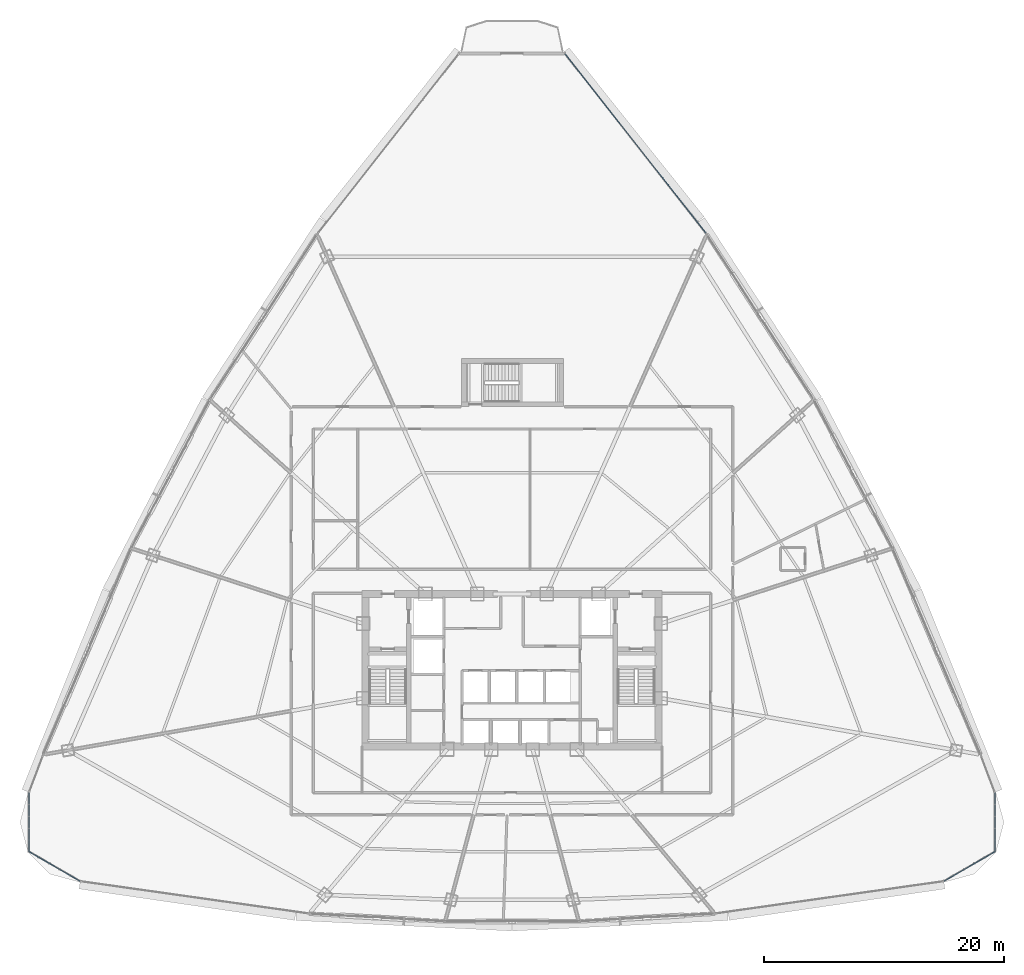
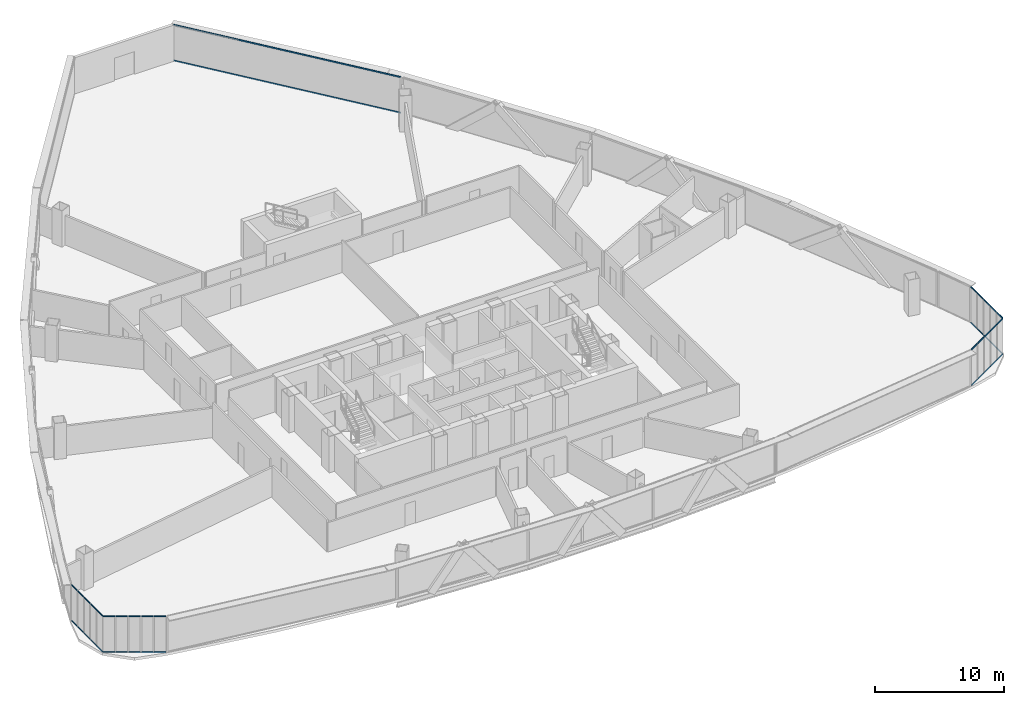
# One storey, part 30 of 42: 42 members, 5 elements without a shape of their own.
"""IFC4 building model written with IfcOpenShell, lengths in metres."""

from ifc_helpers import new_model, si_unit, direction, frame, origin, origin_2d, place, context, subcontext, project, spatial, hollow_rectangle, extrude, source, transform, mapped, material, layer, layer_set, material_profile, profile_set, type_object, element, aggregate, save


model = new_model("IFC4")

# Units and contexts
model_context = context("Model", 3, precision=1e-05, world=origin(), true_north=direction((0.0, 1.0)))
body_context = subcontext(model_context, "Body", "Model", "MODEL_VIEW")
ifc_project = project(units=[si_unit("LENGTHUNIT", "METRE"), si_unit("AREAUNIT", "SQUARE_METRE"), si_unit("VOLUMEUNIT", "CUBIC_METRE"), si_unit("PLANEANGLEUNIT", "RADIAN"), si_unit("MASSUNIT", "GRAM", prefix="KILO"), si_unit("THERMODYNAMICTEMPERATUREUNIT", "KELVIN"), si_unit("POWERUNIT", "WATT")], contexts=[model_context])

# Site, building, storey
site_placement = place(None, origin())
site = spatial("IfcSite", under=ifc_project, at=site_placement, CompositionType="ELEMENT")
building_placement = place(site_placement, origin())
building = spatial("IfcBuilding", under=site, at=building_placement, Name="Yunzhuo Pagoda Commons", CompositionType="ELEMENT")
storey_placement = place(building_placement, frame((0.0, 0.0, 133.510009765625)))
storey = spatial("IfcBuildingStorey", under=building, at=storey_placement, Name="L33", CompositionType="ELEMENT", Elevation=133.510009765625)

# Curtain wall, members
ifc_material = material(Name="Anodized aluminium 6063-T6", Category="aluminium")
ifc_layer_1 = layer(ifc_material, 0.14990234375)
ifc_layer_set_1 = layer_set([ifc_layer_1], Name="Anodized aluminium 6063-T6")
curtain_wall_type_1 = type_object("IfcCurtainWallType", Name="CW-MID Mid-Zone Ribbon Curtain Wall", PredefinedType="NOTDEFINED", material=ifc_layer_set_1)
curtain_wall_1_placement = place(storey_placement, origin())
curtain_wall_1 = element("IfcCurtainWall", 1, at=curtain_wall_1_placement, inside=storey, type_object=curtain_wall_type_1, Name="L33 curtain wall CW-L33-F2B5", PredefinedType="NOTDEFINED")
ifc_material_profile_1 = material_profile(ifc_material, hollow_rectangle(XDim=0.054931640625, YDim=0.1298828125, WallThickness=0.00341796875, at=origin_2d()), Name="Anodized aluminium 6063-T6")
ifc_profile_set_1 = profile_set([ifc_material_profile_1], Name="Anodized aluminium 6063-T6")
member_type_1 = type_object("IfcMemberType", Name="CW-MID-T Transom RHS 130x55x3.5", PredefinedType="USERDEFINED", material=ifc_profile_set_1)
shared_shape_1 = source(origin(), body_context, "Body", "SweptSolid", [
    extrude(hollow_rectangle(XDim=0.054931640625, YDim=0.1298828125, WallThickness=0.00341796875, at=origin_2d()), origin(), (0.0, 0.0, 1.0), 18.9765625),
])
member_1_placement = place(storey_placement, frame((64.1513671875, 70.269775390625, 0.027587890625), z_axis=(-0.617497065847, 0.786573183925, 0.0), x_axis=(-0.786573183925, -0.617497065847, 0.0)))
member_1 = element("IfcMember", 2, at=member_1_placement, type_object=member_type_1, Name="CW transom 1.1", ObjectType="TRANSOM", PredefinedType="USERDEFINED", context=body_context, shape_type="MappedRepresentation", body=[
    mapped(shared_shape_1, transform((0.0, 0.0, 0.0), scale=1.0)),
])
member_2_placement = place(storey_placement, frame((64.1513671875, 70.269775390625, 3.392578125), z_axis=(-0.617497065847, 0.786573183925, 0.0), x_axis=(-0.786573183925, -0.617497065847, 0.0)))
member_2 = element("IfcMember", 3, at=member_2_placement, type_object=member_type_1, Name="CW transom 1.2", ObjectType="TRANSOM", PredefinedType="USERDEFINED", context=body_context, shape_type="MappedRepresentation", body=[
    mapped(shared_shape_1, transform((0.0, 0.0, 0.0), scale=1.0)),
])
aggregate(curtain_wall_1, [member_1, member_2])

ifc_layer_2 = layer(ifc_material, 0.1298828125)
ifc_layer_set_2 = layer_set([ifc_layer_2], Name="Anodized aluminium 6063-T6")
curtain_wall_type_2 = type_object("IfcCurtainWallType", Name="CW-VTX Rounded Corner Curtain Wall", PredefinedType="NOTDEFINED", material=ifc_layer_set_2)
curtain_wall_2_placement = place(storey_placement, origin())
curtain_wall_2 = element("IfcCurtainWall", 4, at=curtain_wall_2_placement, inside=storey, type_object=curtain_wall_type_2, Name="L33 curtain wall CW-L33-VTX1S1", PredefinedType="NOTDEFINED")
ifc_material_profile_2 = material_profile(ifc_material, hollow_rectangle(XDim=0.054931640625, YDim=0.1201171875, WallThickness=0.00341796875, at=origin_2d()), Name="Anodized aluminium 6063-T6")
ifc_profile_set_2 = profile_set([ifc_material_profile_2], Name="Anodized aluminium 6063-T6")
member_type_2 = type_object("IfcMemberType", Name="CW-VTX-T Transom RHS 120x55x3.5", PredefinedType="USERDEFINED", material=ifc_profile_set_2)
shared_shape_2 = source(origin(), body_context, "Body", "SweptSolid", [
    extrude(hollow_rectangle(XDim=0.054931640625, YDim=0.1201171875, WallThickness=0.00341796875, at=origin_2d()), origin(), (0.0, 0.0, 1.0), 0.915771484375),
])
member_3_placement = place(storey_placement, frame((7.766357421875, 23.625732421875, 0.027587890625), z_axis=(-0.003465721655, -0.999993994369, 0.0), x_axis=(0.999993994369, -0.003465721655, 0.0)))
member_3 = element("IfcMember", 5, at=member_3_placement, type_object=member_type_2, Name="CW transom 1.1", ObjectType="TRANSOM", PredefinedType="USERDEFINED", context=body_context, shape_type="MappedRepresentation", body=[
    mapped(shared_shape_2, transform((0.0, 0.0, 0.0), scale=1.0)),
])
member_4_placement = place(storey_placement, frame((7.766357421875, 23.625732421875, 3.392578125), z_axis=(-0.003465721655, -0.999993994369, 0.0), x_axis=(0.999993994369, -0.003465721655, 0.0)))
member_4 = element("IfcMember", 6, at=member_4_placement, type_object=member_type_2, Name="CW transom 1.2", ObjectType="TRANSOM", PredefinedType="USERDEFINED", context=body_context, shape_type="MappedRepresentation", body=[
    mapped(shared_shape_2, transform((0.0, 0.0, 0.0), scale=1.0)),
])

curtain_wall_3_placement = place(storey_placement, origin())
curtain_wall_3 = element("IfcCurtainWall", 7, at=curtain_wall_3_placement, inside=storey, type_object=curtain_wall_type_2, Name="L33 curtain wall CW-L33-VTX1S2", PredefinedType="NOTDEFINED")
member_5_placement = place(storey_placement, frame((7.75634765625, 18.73193359375, 0.027587890625), z_axis=(0.865341097906, -0.501183383877, 0.0), x_axis=(0.501183383877, 0.865341097906, 0.0)))
member_5 = element("IfcMember", 8, at=member_5_placement, type_object=member_type_2, Name="CW transom 1.1", ObjectType="TRANSOM", PredefinedType="USERDEFINED", context=body_context, shape_type="MappedRepresentation", body=[
    mapped(shared_shape_2, transform((0.0, 0.0, 0.0), scale=1.0)),
])
member_6_placement = place(storey_placement, frame((7.75634765625, 18.73193359375, 3.392578125), z_axis=(0.865341097906, -0.501183383877, 0.0), x_axis=(0.501183383877, 0.865341097906, 0.0)))
member_6 = element("IfcMember", 9, at=member_6_placement, type_object=member_type_2, Name="CW transom 1.2", ObjectType="TRANSOM", PredefinedType="USERDEFINED", context=body_context, shape_type="MappedRepresentation", body=[
    mapped(shared_shape_2, transform((0.0, 0.0, 0.0), scale=1.0)),
])
member_7_placement = place(storey_placement, frame((11.18798828125, 16.7451171875, 0.027587890625), z_axis=(0.865456707617, -0.500983719536, 0.0), x_axis=(0.500983719536, 0.865456707617, 0.0)))
member_7 = element("IfcMember", 10, at=member_7_placement, type_object=member_type_2, Name="CW transom 5.1", ObjectType="TRANSOM", PredefinedType="USERDEFINED", context=body_context, shape_type="MappedRepresentation", body=[
    mapped(shared_shape_2, transform((0.0, 0.0, 0.0), scale=1.0)),
])
member_8_placement = place(storey_placement, frame((11.18798828125, 16.7451171875, 3.392578125), z_axis=(0.865456707617, -0.500983719536, 0.0), x_axis=(0.500983719536, 0.865456707617, 0.0)))
member_8 = element("IfcMember", 11, at=member_8_placement, type_object=member_type_2, Name="CW transom 5.2", ObjectType="TRANSOM", PredefinedType="USERDEFINED", context=body_context, shape_type="MappedRepresentation", body=[
    mapped(shared_shape_2, transform((0.0, 0.0, 0.0), scale=1.0)),
])

curtain_wall_4_placement = place(storey_placement, origin())
curtain_wall_4 = element("IfcCurtainWall", 12, at=curtain_wall_4_placement, inside=storey, type_object=curtain_wall_type_2, Name="L33 curtain wall CW-L33-VTX2S1", PredefinedType="NOTDEFINED")
member_9_placement = place(storey_placement, frame((84.01953125, 16.286376953125, 0.027587890625), z_axis=(0.865456707617, 0.500983719536, 0.0), x_axis=(-0.500983719536, 0.865456707617, 0.0)))
member_9 = element("IfcMember", 13, at=member_9_placement, type_object=member_type_2, Name="CW transom 1.1", ObjectType="TRANSOM", PredefinedType="USERDEFINED", context=body_context, shape_type="MappedRepresentation", body=[
    mapped(shared_shape_2, transform((0.0, 0.0, 0.0), scale=1.0)),
])
member_10_placement = place(storey_placement, frame((84.01953125, 16.286376953125, 3.392578125), z_axis=(0.865456707617, 0.500983719536, 0.0), x_axis=(-0.500983719536, 0.865456707617, 0.0)))
member_10 = element("IfcMember", 14, at=member_10_placement, type_object=member_type_2, Name="CW transom 1.2", ObjectType="TRANSOM", PredefinedType="USERDEFINED", context=body_context, shape_type="MappedRepresentation", body=[
    mapped(shared_shape_2, transform((0.0, 0.0, 0.0), scale=1.0)),
])
member_11_placement = place(storey_placement, frame((87.451171875, 18.27294921875, 0.027587890625), z_axis=(0.865341097906, 0.501183383877, 0.0), x_axis=(-0.501183383877, 0.865341097906, 0.0)))
member_11 = element("IfcMember", 15, at=member_11_placement, type_object=member_type_2, Name="CW transom 5.1", ObjectType="TRANSOM", PredefinedType="USERDEFINED", context=body_context, shape_type="MappedRepresentation", body=[
    mapped(shared_shape_2, transform((0.0, 0.0, 0.0), scale=1.0)),
])
member_12_placement = place(storey_placement, frame((87.451171875, 18.27294921875, 3.392578125), z_axis=(0.865341097906, 0.501183383877, 0.0), x_axis=(-0.501183383877, 0.865341097906, 0.0)))
member_12 = element("IfcMember", 16, at=member_12_placement, type_object=member_type_2, Name="CW transom 5.2", ObjectType="TRANSOM", PredefinedType="USERDEFINED", context=body_context, shape_type="MappedRepresentation", body=[
    mapped(shared_shape_2, transform((0.0, 0.0, 0.0), scale=1.0)),
])

curtain_wall_5_placement = place(storey_placement, origin())
curtain_wall_5 = element("IfcCurtainWall", 17, at=curtain_wall_5_placement, inside=storey, type_object=curtain_wall_type_2, Name="L33 curtain wall CW-L33-VTX2S2", PredefinedType="NOTDEFINED")
member_13_placement = place(storey_placement, frame((88.23681640625, 22.7099609375, 0.027587890625), z_axis=(-0.003465721655, 0.999993994369, 0.0), x_axis=(-0.999993994369, -0.003465721655, 0.0)))
member_13 = element("IfcMember", 18, at=member_13_placement, type_object=member_type_2, Name="CW transom 5.1", ObjectType="TRANSOM", PredefinedType="USERDEFINED", context=body_context, shape_type="MappedRepresentation", body=[
    mapped(shared_shape_2, transform((0.0, 0.0, 0.0), scale=1.0)),
])
member_14_placement = place(storey_placement, frame((88.23681640625, 22.7099609375, 3.392578125), z_axis=(-0.003465721655, 0.999993994369, 0.0), x_axis=(-0.999993994369, -0.003465721655, 0.0)))
member_14 = element("IfcMember", 19, at=member_14_placement, type_object=member_type_2, Name="CW transom 5.2", ObjectType="TRANSOM", PredefinedType="USERDEFINED", context=body_context, shape_type="MappedRepresentation", body=[
    mapped(shared_shape_2, transform((0.0, 0.0, 0.0), scale=1.0)),
])

# Member
shared_shape_3 = source(origin(), body_context, "Body", "SweptSolid", [
    extrude(hollow_rectangle(XDim=0.054931640625, YDim=0.1201171875, WallThickness=0.00341796875, at=origin_2d()), origin(), (0.0, 0.0, 1.0), 0.943115234375),
])
member_15_placement = place(storey_placement, frame((7.76318359375, 22.655029296875, 0.027587890625), z_axis=(-0.003624102527, -0.999993432919, 0.0), x_axis=(0.999993432919, -0.003624102527, 0.0)))
member_15 = element("IfcMember", 20, at=member_15_placement, type_object=member_type_2, Name="CW transom 2.1", ObjectType="TRANSOM", PredefinedType="USERDEFINED", context=body_context, shape_type="MappedRepresentation", body=[
    mapped(shared_shape_3, transform((0.0, 0.0, 0.0), scale=1.0)),
])

member_16_placement = place(storey_placement, frame((7.76318359375, 22.655029296875, 3.392578125), z_axis=(-0.003624102527, -0.999993432919, 0.0), x_axis=(0.999993432919, -0.003624102527, 0.0)))
member_16 = element("IfcMember", 21, at=member_16_placement, type_object=member_type_2, Name="CW transom 2.2", ObjectType="TRANSOM", PredefinedType="USERDEFINED", context=body_context, shape_type="MappedRepresentation", body=[
    mapped(shared_shape_3, transform((0.0, 0.0, 0.0), scale=1.0)),
])

member_17_placement = place(storey_placement, frame((7.755859375, 20.65869140625, 0.027587890625), z_axis=(-0.003624102527, -0.999993432919, 0.0), x_axis=(0.999993432919, -0.003624102527, 0.0)))
member_17 = element("IfcMember", 22, at=member_17_placement, type_object=member_type_2, Name="CW transom 4.1", ObjectType="TRANSOM", PredefinedType="USERDEFINED", context=body_context, shape_type="MappedRepresentation", body=[
    mapped(shared_shape_3, transform((0.0, 0.0, 0.0), scale=1.0)),
])

member_18_placement = place(storey_placement, frame((7.755859375, 20.65869140625, 3.392578125), z_axis=(-0.003624102527, -0.999993432919, 0.0), x_axis=(0.999993432919, -0.003624102527, 0.0)))
member_18 = element("IfcMember", 23, at=member_18_placement, type_object=member_type_2, Name="CW transom 4.2", ObjectType="TRANSOM", PredefinedType="USERDEFINED", context=body_context, shape_type="MappedRepresentation", body=[
    mapped(shared_shape_3, transform((0.0, 0.0, 0.0), scale=1.0)),
])

member_19_placement = place(storey_placement, frame((8.5966796875, 18.245849609375, 0.027587890625), z_axis=(0.865183952342, -0.501454612713, 0.0), x_axis=(0.501454612713, 0.865183952342, 0.0)))
member_19 = element("IfcMember", 24, at=member_19_placement, type_object=member_type_2, Name="CW transom 2.1", ObjectType="TRANSOM", PredefinedType="USERDEFINED", context=body_context, shape_type="MappedRepresentation", body=[
    mapped(shared_shape_3, transform((0.0, 0.0, 0.0), scale=1.0)),
])

member_20_placement = place(storey_placement, frame((8.5966796875, 18.245849609375, 3.392578125), z_axis=(0.865183952342, -0.501454612713, 0.0), x_axis=(0.501454612713, 0.865183952342, 0.0)))
member_20 = element("IfcMember", 25, at=member_20_placement, type_object=member_type_2, Name="CW transom 2.2", ObjectType="TRANSOM", PredefinedType="USERDEFINED", context=body_context, shape_type="MappedRepresentation", body=[
    mapped(shared_shape_3, transform((0.0, 0.0, 0.0), scale=1.0)),
])

member_21_placement = place(storey_placement, frame((10.32421875, 17.245361328125, 0.027587890625), z_axis=(0.865361295252, -0.501148509605, 0.0), x_axis=(0.501148509605, 0.865361295252, 0.0)))
member_21 = element("IfcMember", 26, at=member_21_placement, type_object=member_type_2, Name="CW transom 4.1", ObjectType="TRANSOM", PredefinedType="USERDEFINED", context=body_context, shape_type="MappedRepresentation", body=[
    mapped(shared_shape_3, transform((0.0, 0.0, 0.0), scale=1.0)),
])

member_22_placement = place(storey_placement, frame((10.32421875, 17.245361328125, 3.392578125), z_axis=(0.865361295252, -0.501148509605, 0.0), x_axis=(0.501148509605, 0.865361295252, 0.0)))
member_22 = element("IfcMember", 27, at=member_22_placement, type_object=member_type_2, Name="CW transom 4.2", ObjectType="TRANSOM", PredefinedType="USERDEFINED", context=body_context, shape_type="MappedRepresentation", body=[
    mapped(shared_shape_3, transform((0.0, 0.0, 0.0), scale=1.0)),
])

member_23_placement = place(storey_placement, frame((84.859619140625, 16.772705078125, 0.027587890625), z_axis=(0.865361295252, 0.501148509605, 0.0), x_axis=(-0.501148509605, 0.865361295252, 0.0)))
member_23 = element("IfcMember", 28, at=member_23_placement, type_object=member_type_2, Name="CW transom 2.1", ObjectType="TRANSOM", PredefinedType="USERDEFINED", context=body_context, shape_type="MappedRepresentation", body=[
    mapped(shared_shape_3, transform((0.0, 0.0, 0.0), scale=1.0)),
])

member_24_placement = place(storey_placement, frame((84.859619140625, 16.772705078125, 3.392578125), z_axis=(0.865361295252, 0.501148509605, 0.0), x_axis=(-0.501148509605, 0.865361295252, 0.0)))
member_24 = element("IfcMember", 29, at=member_24_placement, type_object=member_type_2, Name="CW transom 2.2", ObjectType="TRANSOM", PredefinedType="USERDEFINED", context=body_context, shape_type="MappedRepresentation", body=[
    mapped(shared_shape_3, transform((0.0, 0.0, 0.0), scale=1.0)),
])

member_25_placement = place(storey_placement, frame((88.24755859375, 19.715576171875, 0.027587890625), z_axis=(-0.003624102527, 0.999993432919, 0.0), x_axis=(-0.999993432919, -0.003624102527, 0.0)))
member_25 = element("IfcMember", 30, at=member_25_placement, type_object=member_type_2, Name="CW transom 2.1", ObjectType="TRANSOM", PredefinedType="USERDEFINED", context=body_context, shape_type="MappedRepresentation", body=[
    mapped(shared_shape_3, transform((0.0, 0.0, 0.0), scale=1.0)),
])

member_26_placement = place(storey_placement, frame((88.24755859375, 19.715576171875, 3.392578125), z_axis=(-0.003624102527, 0.999993432919, 0.0), x_axis=(-0.999993432919, -0.003624102527, 0.0)))
member_26 = element("IfcMember", 31, at=member_26_placement, type_object=member_type_2, Name="CW transom 2.2", ObjectType="TRANSOM", PredefinedType="USERDEFINED", context=body_context, shape_type="MappedRepresentation", body=[
    mapped(shared_shape_3, transform((0.0, 0.0, 0.0), scale=1.0)),
])

member_27_placement = place(storey_placement, frame((88.24072265625, 21.7119140625, 0.027587890625), z_axis=(-0.003624102527, 0.999993432919, 0.0), x_axis=(-0.999993432919, -0.003624102527, 0.0)))
member_27 = element("IfcMember", 32, at=member_27_placement, type_object=member_type_2, Name="CW transom 4.1", ObjectType="TRANSOM", PredefinedType="USERDEFINED", context=body_context, shape_type="MappedRepresentation", body=[
    mapped(shared_shape_3, transform((0.0, 0.0, 0.0), scale=1.0)),
])

member_28_placement = place(storey_placement, frame((88.24072265625, 21.7119140625, 3.392578125), z_axis=(-0.003624102527, 0.999993432919, 0.0), x_axis=(-0.999993432919, -0.003624102527, 0.0)))
member_28 = element("IfcMember", 33, at=member_28_placement, type_object=member_type_2, Name="CW transom 4.2", ObjectType="TRANSOM", PredefinedType="USERDEFINED", context=body_context, shape_type="MappedRepresentation", body=[
    mapped(shared_shape_3, transform((0.0, 0.0, 0.0), scale=1.0)),
])

shared_shape_4 = source(origin(), body_context, "Body", "SweptSolid", [
    extrude(hollow_rectangle(XDim=0.054931640625, YDim=0.1201171875, WallThickness=0.00341796875, at=origin_2d()), origin(), (0.0, 0.0, 1.0), 0.943359375),
])
member_29_placement = place(storey_placement, frame((7.75927734375, 21.656982421875, 0.027587890625), z_axis=(-0.003623164624, -0.999993436318, 0.0), x_axis=(0.999993436318, -0.003623164624, 0.0)))
member_29 = element("IfcMember", 34, at=member_29_placement, type_object=member_type_2, Name="CW transom 3.1", ObjectType="TRANSOM", PredefinedType="USERDEFINED", context=body_context, shape_type="MappedRepresentation", body=[
    mapped(shared_shape_4, transform((0.0, 0.0, 0.0), scale=1.0)),
])

member_30_placement = place(storey_placement, frame((7.75927734375, 21.656982421875, 3.392578125), z_axis=(-0.003623164624, -0.999993436318, 0.0), x_axis=(0.999993436318, -0.003623164624, 0.0)))
member_30 = element("IfcMember", 35, at=member_30_placement, type_object=member_type_2, Name="CW transom 3.2", ObjectType="TRANSOM", PredefinedType="USERDEFINED", context=body_context, shape_type="MappedRepresentation", body=[
    mapped(shared_shape_4, transform((0.0, 0.0, 0.0), scale=1.0)),
])

member_31_placement = place(storey_placement, frame((9.460205078125, 17.745361328125, 0.027587890625), z_axis=(0.865426285481, -0.501036270542, 0.0), x_axis=(0.501036270542, 0.865426285481, 0.0)))
member_31 = element("IfcMember", 36, at=member_31_placement, type_object=member_type_2, Name="CW transom 3.1", ObjectType="TRANSOM", PredefinedType="USERDEFINED", context=body_context, shape_type="MappedRepresentation", body=[
    mapped(shared_shape_4, transform((0.0, 0.0, 0.0), scale=1.0)),
])

member_32_placement = place(storey_placement, frame((9.460205078125, 17.745361328125, 3.392578125), z_axis=(0.865426285481, -0.501036270542, 0.0), x_axis=(0.501036270542, 0.865426285481, 0.0)))
member_32 = element("IfcMember", 37, at=member_32_placement, type_object=member_type_2, Name="CW transom 3.2", ObjectType="TRANSOM", PredefinedType="USERDEFINED", context=body_context, shape_type="MappedRepresentation", body=[
    mapped(shared_shape_4, transform((0.0, 0.0, 0.0), scale=1.0)),
])

aggregate(curtain_wall_3, [member_5, member_6, member_19, member_20, member_31, member_32, member_21, member_22, member_7, member_8])

member_33_placement = place(storey_placement, frame((85.723388671875, 17.272705078125, 0.027587890625), z_axis=(0.865426285481, 0.501036270542, 0.0), x_axis=(-0.501036270542, 0.865426285481, 0.0)))
member_33 = element("IfcMember", 38, at=member_33_placement, type_object=member_type_2, Name="CW transom 3.1", ObjectType="TRANSOM", PredefinedType="USERDEFINED", context=body_context, shape_type="MappedRepresentation", body=[
    mapped(shared_shape_4, transform((0.0, 0.0, 0.0), scale=1.0)),
])

member_34_placement = place(storey_placement, frame((85.723388671875, 17.272705078125, 3.392578125), z_axis=(0.865426285481, 0.501036270542, 0.0), x_axis=(-0.501036270542, 0.865426285481, 0.0)))
member_34 = element("IfcMember", 39, at=member_34_placement, type_object=member_type_2, Name="CW transom 3.2", ObjectType="TRANSOM", PredefinedType="USERDEFINED", context=body_context, shape_type="MappedRepresentation", body=[
    mapped(shared_shape_4, transform((0.0, 0.0, 0.0), scale=1.0)),
])

member_35_placement = place(storey_placement, frame((86.58740234375, 17.77294921875, 0.027587890625), z_axis=(0.865314060194, 0.501230064173, 0.0), x_axis=(-0.501230064173, 0.865314060194, 0.0)))
member_35 = element("IfcMember", 40, at=member_35_placement, type_object=member_type_2, Name="CW transom 4.1", ObjectType="TRANSOM", PredefinedType="USERDEFINED", context=body_context, shape_type="MappedRepresentation", body=[
    mapped(shared_shape_4, transform((0.0, 0.0, 0.0), scale=1.0)),
])

member_36_placement = place(storey_placement, frame((86.58740234375, 17.77294921875, 3.392578125), z_axis=(0.865314060194, 0.501230064173, 0.0), x_axis=(-0.501230064173, 0.865314060194, 0.0)))
member_36 = element("IfcMember", 41, at=member_36_placement, type_object=member_type_2, Name="CW transom 4.2", ObjectType="TRANSOM", PredefinedType="USERDEFINED", context=body_context, shape_type="MappedRepresentation", body=[
    mapped(shared_shape_4, transform((0.0, 0.0, 0.0), scale=1.0)),
])

aggregate(curtain_wall_4, [member_9, member_10, member_23, member_24, member_33, member_34, member_35, member_36, member_11, member_12])

member_37_placement = place(storey_placement, frame((88.244140625, 20.713623046875, 0.027587890625), z_axis=(-0.003623164624, 0.999993436318, 0.0), x_axis=(-0.999993436318, -0.003623164624, 0.0)))
member_37 = element("IfcMember", 42, at=member_37_placement, type_object=member_type_2, Name="CW transom 3.1", ObjectType="TRANSOM", PredefinedType="USERDEFINED", context=body_context, shape_type="MappedRepresentation", body=[
    mapped(shared_shape_4, transform((0.0, 0.0, 0.0), scale=1.0)),
])

member_38_placement = place(storey_placement, frame((88.244140625, 20.713623046875, 3.392578125), z_axis=(-0.003623164624, 0.999993436318, 0.0), x_axis=(-0.999993436318, -0.003623164624, 0.0)))
member_38 = element("IfcMember", 43, at=member_38_placement, type_object=member_type_2, Name="CW transom 3.2", ObjectType="TRANSOM", PredefinedType="USERDEFINED", context=body_context, shape_type="MappedRepresentation", body=[
    mapped(shared_shape_4, transform((0.0, 0.0, 0.0), scale=1.0)),
])

shared_shape_5 = source(origin(), body_context, "Body", "SweptSolid", [
    extrude(hollow_rectangle(XDim=0.054931640625, YDim=0.1201171875, WallThickness=0.00341796875, at=origin_2d()), origin(), (0.0, 0.0, 1.0), 0.916015625),
])
member_39_placement = place(storey_placement, frame((7.752197265625, 19.660888671875, 0.027587890625), z_axis=(-0.003731317308, -0.999993038611, 0.0), x_axis=(0.999993038611, -0.003731317308, 0.0)))
member_39 = element("IfcMember", 44, at=member_39_placement, type_object=member_type_2, Name="CW transom 5.1", ObjectType="TRANSOM", PredefinedType="USERDEFINED", context=body_context, shape_type="MappedRepresentation", body=[
    mapped(shared_shape_5, transform((0.0, 0.0, 0.0), scale=1.0)),
])

member_40_placement = place(storey_placement, frame((7.752197265625, 19.660888671875, 3.392578125), z_axis=(-0.003731317308, -0.999993038611, 0.0), x_axis=(0.999993038611, -0.003731317308, 0.0)))
member_40 = element("IfcMember", 45, at=member_40_placement, type_object=member_type_2, Name="CW transom 5.2", ObjectType="TRANSOM", PredefinedType="USERDEFINED", context=body_context, shape_type="MappedRepresentation", body=[
    mapped(shared_shape_5, transform((0.0, 0.0, 0.0), scale=1.0)),
])

aggregate(curtain_wall_2, [member_3, member_4, member_15, member_16, member_29, member_30, member_17, member_18, member_39, member_40])

member_41_placement = place(storey_placement, frame((88.251220703125, 18.744873046875, 0.027587890625), z_axis=(-0.003731317308, 0.999993038611, 0.0), x_axis=(-0.999993038611, -0.003731317308, 0.0)))
member_41 = element("IfcMember", 46, at=member_41_placement, type_object=member_type_2, Name="CW transom 1.1", ObjectType="TRANSOM", PredefinedType="USERDEFINED", context=body_context, shape_type="MappedRepresentation", body=[
    mapped(shared_shape_5, transform((0.0, 0.0, 0.0), scale=1.0)),
])

member_42_placement = place(storey_placement, frame((88.251220703125, 18.744873046875, 3.392578125), z_axis=(-0.003731317308, 0.999993038611, 0.0), x_axis=(-0.999993038611, -0.003731317308, 0.0)))
member_42 = element("IfcMember", 47, at=member_42_placement, type_object=member_type_2, Name="CW transom 1.2", ObjectType="TRANSOM", PredefinedType="USERDEFINED", context=body_context, shape_type="MappedRepresentation", body=[
    mapped(shared_shape_5, transform((0.0, 0.0, 0.0), scale=1.0)),
])

aggregate(curtain_wall_5, [member_41, member_42, member_25, member_26, member_37, member_38, member_27, member_28, member_13, member_14])

save(model, "model.ifc")
